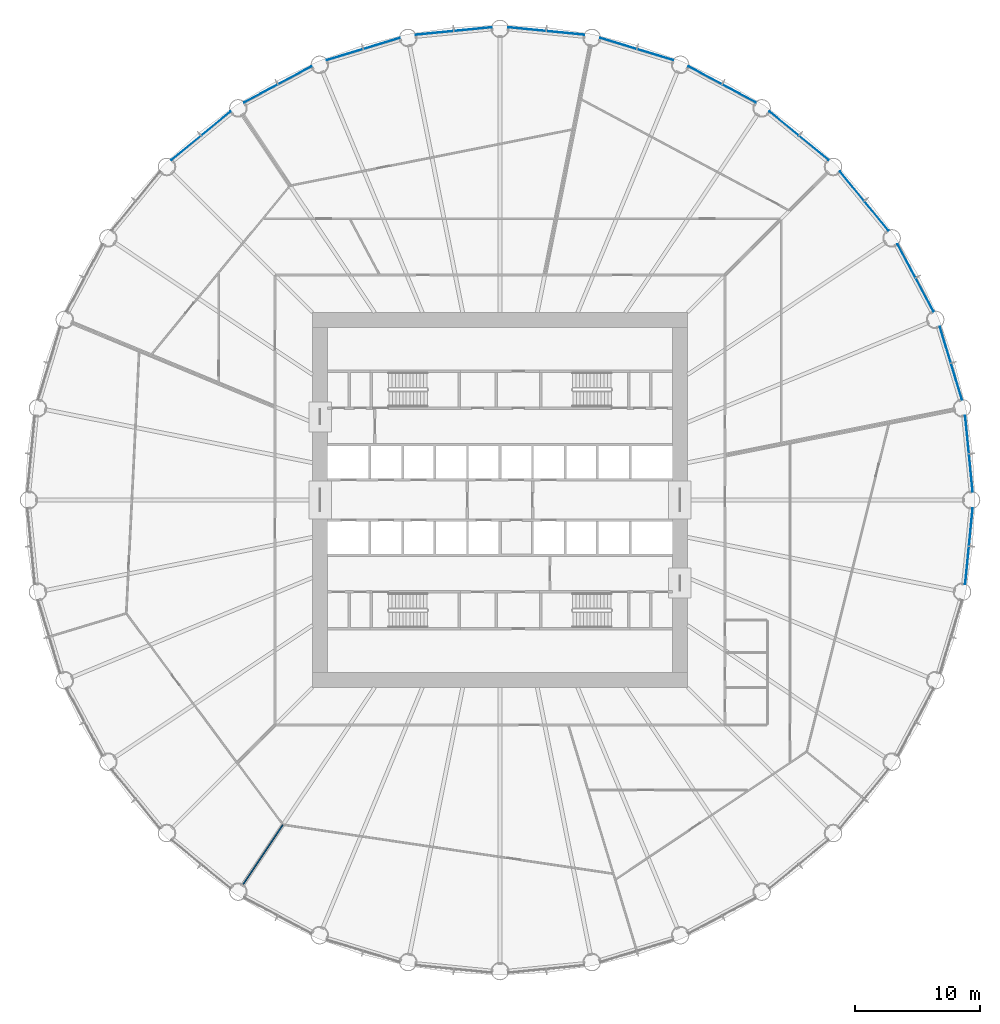
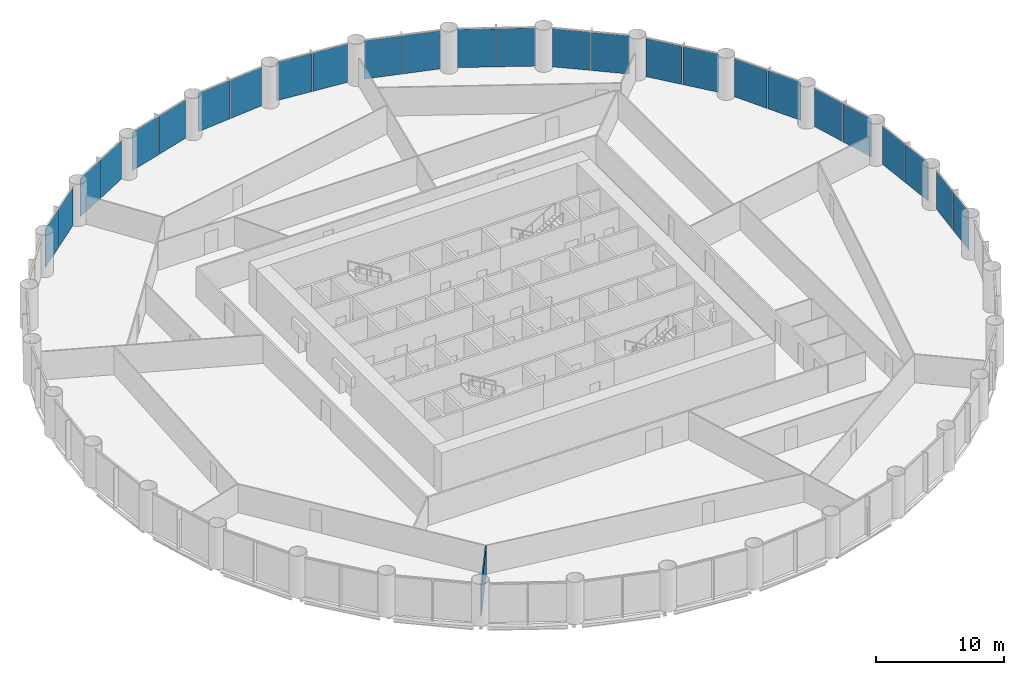
# One storey, part 9 of 15: 26 plates, 1 wall, 13 elements without a shape of their own.
"""IFC4 building model written with IfcOpenShell, lengths in metres."""

from ifc_helpers import new_model, si_unit, direction, frame, frame_2d, origin, origin_2d, place, context, subcontext, project, spatial, rectangle, extrude, material, layer, layer_set, type_object, element, aggregate, save


model = new_model("IFC4")

# Units and contexts
model_context = context("Model", 3, precision=1e-05, world=origin(), true_north=direction((0.0, 1.0)))
body_context = subcontext(model_context, "Body", "Model", "MODEL_VIEW")
ifc_project = project(units=[si_unit("LENGTHUNIT", "METRE"), si_unit("AREAUNIT", "SQUARE_METRE"), si_unit("VOLUMEUNIT", "CUBIC_METRE"), si_unit("PLANEANGLEUNIT", "RADIAN"), si_unit("MASSUNIT", "GRAM", prefix="KILO")], contexts=[model_context])

# Site, building, storey
site_placement = place(None, origin())
site = spatial("IfcSite", under=ifc_project, at=site_placement, CompositionType="ELEMENT")
building_placement = place(site_placement, origin())
building = spatial("IfcBuilding", under=site, at=building_placement, Name="Corvane Civic Tower", CompositionType="ELEMENT")
storey_placement = place(building_placement, frame((0.0, 0.0, 69.0)))
storey = spatial("IfcBuildingStorey", under=building, at=storey_placement, Name="L15", CompositionType="ELEMENT", Elevation=69.0)

# Curtain wall, plates
ifc_material_1 = material(Name="Anodised aluminium bronze", Category="aluminium")
curtain_wall_type = type_object("IfcCurtainWallType", Name="TOWER CW-T1 STICK CURTAIN WALL", PredefinedType="NOTDEFINED", material=ifc_material_1)
curtain_wall_1_placement = place(storey_placement, origin())
curtain_wall_1 = element("IfcCurtainWall", 1, at=curtain_wall_1_placement, inside=storey, type_object=curtain_wall_type, Name="Curtain wall CW-T1 L15 bay 01", PredefinedType="NOTDEFINED")
ifc_material_2 = material(Name="Tinted glass", Category="glass")
ifc_layer_1 = layer(ifc_material_2, 0.035888671875)
ifc_layer_set_1 = layer_set([ifc_layer_1], Name="Tinted glass")
plate_type = type_object("IfcPlateType", Name="TOWER CW-T1 PANEL IGU36", PredefinedType="CURTAIN_PANEL", material=ifc_layer_set_1)
plate_1_placement = place(storey_placement, frame((2.158203125, 37.667236328125, 0.0), z_axis=(0.0, 0.0, 1.0), x_axis=(0.995185800248, -0.098006239521, 0.0)))
plate_1 = element("IfcPlate", 2, at=plate_1_placement, type_object=plate_type, Name="Glass panel CW-T1 L15 01.1", PredefinedType="CURTAIN_PANEL", context=body_context, shape_type="SweptSolid", body=[
    extrude(rectangle(XDim=3.008544921875, YDim=0.035888671875, at=origin_2d()), origin(), (0.0, 0.0, 1.0), 3.6298828125),
])
plate_2_placement = place(storey_placement, frame((5.23193359375, 37.36474609375, 0.0), z_axis=(0.0, 0.0, 1.0), x_axis=(0.995185800248, -0.098006239521, 0.0)))
plate_2 = element("IfcPlate", 3, at=plate_2_placement, type_object=plate_type, Name="Glass panel CW-T1 L15 01.2", PredefinedType="CURTAIN_PANEL", context=body_context, shape_type="SweptSolid", body=[
    extrude(rectangle(XDim=3.008544921875, YDim=0.035888671875, at=origin_2d()), origin(), (0.0, 0.0, 1.0), 3.6298828125),
])
aggregate(curtain_wall_1, [plate_1, plate_2])

curtain_wall_2_placement = place(storey_placement, origin())
curtain_wall_2 = element("IfcCurtainWall", 4, at=curtain_wall_2_placement, inside=storey, type_object=curtain_wall_type, Name="Curtain wall CW-T1 L15 bay 02", PredefinedType="NOTDEFINED")
plate_3_placement = place(storey_placement, frame((9.46533203125, 36.522705078125, 0.0), z_axis=(0.0, 0.0, 1.0), x_axis=(0.956942240606, -0.290278397654, 0.0)))
plate_3 = element("IfcPlate", 5, at=plate_3_placement, type_object=plate_type, Name="Glass panel CW-T1 L15 02.1", PredefinedType="CURTAIN_PANEL", context=body_context, shape_type="SweptSolid", body=[
    extrude(rectangle(XDim=3.008544921875, YDim=0.035888671875, at=origin_2d()), origin(), (0.0, 0.0, 1.0), 3.6298828125),
])
plate_4_placement = place(storey_placement, frame((12.4208984375, 35.6259765625, 0.0), z_axis=(0.0, 0.0, 1.0), x_axis=(0.956942240606, -0.290278397654, 0.0)))
plate_4 = element("IfcPlate", 6, at=plate_4_placement, type_object=plate_type, Name="Glass panel CW-T1 L15 02.2", PredefinedType="CURTAIN_PANEL", context=body_context, shape_type="SweptSolid", body=[
    extrude(rectangle(XDim=3.008544921875, YDim=0.035888671875, at=origin_2d()), origin(), (0.0, 0.0, 1.0), 3.6298828125),
])
aggregate(curtain_wall_2, [plate_3, plate_4])

curtain_wall_3_placement = place(storey_placement, origin())
curtain_wall_3 = element("IfcCurtainWall", 7, at=curtain_wall_3_placement, inside=storey, type_object=curtain_wall_type, Name="Curtain wall CW-T1 L15 bay 03", PredefinedType="NOTDEFINED")
plate_5_placement = place(storey_placement, frame((16.40869140625, 33.974365234375, 0.0), z_axis=(0.0, 0.0, 1.0), x_axis=(0.881917528864, -0.471403725359, 0.0)))
plate_5 = element("IfcPlate", 8, at=plate_5_placement, type_object=plate_type, Name="Glass panel CW-T1 L15 03.1", PredefinedType="CURTAIN_PANEL", context=body_context, shape_type="SweptSolid", body=[
    extrude(rectangle(XDim=3.008544921875, YDim=0.035888671875, at=origin_2d()), origin(), (0.0, 0.0, 1.0), 3.6298828125),
])
plate_6_placement = place(storey_placement, frame((19.132568359375, 32.518310546875, 0.0), z_axis=(0.0, 0.0, 1.0), x_axis=(0.881917528864, -0.471403725359, 0.0)))
plate_6 = element("IfcPlate", 9, at=plate_6_placement, type_object=plate_type, Name="Glass panel CW-T1 L15 03.2", PredefinedType="CURTAIN_PANEL", context=body_context, shape_type="SweptSolid", body=[
    extrude(rectangle(XDim=3.008544921875, YDim=0.035888671875, at=origin_2d()), origin(), (0.0, 0.0, 1.0), 3.6298828125),
])
aggregate(curtain_wall_3, [plate_5, plate_6])

curtain_wall_4_placement = place(storey_placement, origin())
curtain_wall_4 = element("IfcCurtainWall", 10, at=curtain_wall_4_placement, inside=storey, type_object=curtain_wall_type, Name="Curtain wall CW-T1 L15 bay 04", PredefinedType="NOTDEFINED")
plate_7_placement = place(storey_placement, frame((22.721435546875, 30.120361328125, 0.0), z_axis=(0.0, 0.0, 1.0), x_axis=(0.773007224463, -0.634397218569, 0.0)))
plate_7 = element("IfcPlate", 11, at=plate_7_placement, type_object=plate_type, Name="Glass panel CW-T1 L15 04.1", PredefinedType="CURTAIN_PANEL", context=body_context, shape_type="SweptSolid", body=[
    extrude(rectangle(XDim=3.008544921875, YDim=0.035888671875, at=origin_2d()), origin(), (0.0, 0.0, 1.0), 3.6298828125),
])
plate_8_placement = place(storey_placement, frame((25.10888671875, 28.160888671875, 0.0), z_axis=(0.0, 0.0, 1.0), x_axis=(0.773007224463, -0.634397218569, 0.0)))
plate_8 = element("IfcPlate", 12, at=plate_8_placement, type_object=plate_type, Name="Glass panel CW-T1 L15 04.2", PredefinedType="CURTAIN_PANEL", context=body_context, shape_type="SweptSolid", body=[
    extrude(rectangle(XDim=3.008544921875, YDim=0.035888671875, at=origin_2d()), origin(), (0.0, 0.0, 1.0), 3.6298828125),
])
aggregate(curtain_wall_4, [plate_7, plate_8])

curtain_wall_5_placement = place(storey_placement, origin())
curtain_wall_5 = element("IfcCurtainWall", 13, at=curtain_wall_5_placement, inside=storey, type_object=curtain_wall_type, Name="Curtain wall CW-T1 L15 bay 05", PredefinedType="NOTDEFINED")
plate_9_placement = place(storey_placement, frame((28.160888671875, 25.10888671875, 0.0), z_axis=(0.0, 0.0, 1.0), x_axis=(0.634397218569, -0.773007224463, 0.0)))
plate_9 = element("IfcPlate", 14, at=plate_9_placement, type_object=plate_type, Name="Glass panel CW-T1 L15 05.1", PredefinedType="CURTAIN_PANEL", context=body_context, shape_type="SweptSolid", body=[
    extrude(rectangle(XDim=3.008544921875, YDim=0.035888671875, at=origin_2d()), origin(), (0.0, 0.0, 1.0), 3.6298828125),
])
plate_10_placement = place(storey_placement, frame((30.120361328125, 22.721435546875, 0.0), z_axis=(0.0, 0.0, 1.0), x_axis=(0.634397218569, -0.773007224463, 0.0)))
plate_10 = element("IfcPlate", 15, at=plate_10_placement, type_object=plate_type, Name="Glass panel CW-T1 L15 05.2", PredefinedType="CURTAIN_PANEL", context=body_context, shape_type="SweptSolid", body=[
    extrude(rectangle(XDim=3.008544921875, YDim=0.035888671875, at=origin_2d()), origin(), (0.0, 0.0, 1.0), 3.6298828125),
])
aggregate(curtain_wall_5, [plate_9, plate_10])

curtain_wall_6_placement = place(storey_placement, origin())
curtain_wall_6 = element("IfcCurtainWall", 16, at=curtain_wall_6_placement, inside=storey, type_object=curtain_wall_type, Name="Curtain wall CW-T1 L15 bay 06", PredefinedType="NOTDEFINED")
plate_11_placement = place(storey_placement, frame((32.518310546875, 19.132568359375, 0.0), z_axis=(0.0, 0.0, 1.0), x_axis=(0.471403725359, -0.881917528864, 0.0)))
plate_11 = element("IfcPlate", 17, at=plate_11_placement, type_object=plate_type, Name="Glass panel CW-T1 L15 06.1", PredefinedType="CURTAIN_PANEL", context=body_context, shape_type="SweptSolid", body=[
    extrude(rectangle(XDim=3.008544921875, YDim=0.035888671875, at=origin_2d()), origin(), (0.0, 0.0, 1.0), 3.6298828125),
])
plate_12_placement = place(storey_placement, frame((33.974365234375, 16.40869140625, 0.0), z_axis=(0.0, 0.0, 1.0), x_axis=(0.471403725359, -0.881917528864, 0.0)))
plate_12 = element("IfcPlate", 18, at=plate_12_placement, type_object=plate_type, Name="Glass panel CW-T1 L15 06.2", PredefinedType="CURTAIN_PANEL", context=body_context, shape_type="SweptSolid", body=[
    extrude(rectangle(XDim=3.008544921875, YDim=0.035888671875, at=origin_2d()), origin(), (0.0, 0.0, 1.0), 3.6298828125),
])
aggregate(curtain_wall_6, [plate_11, plate_12])

curtain_wall_7_placement = place(storey_placement, origin())
curtain_wall_7 = element("IfcCurtainWall", 19, at=curtain_wall_7_placement, inside=storey, type_object=curtain_wall_type, Name="Curtain wall CW-T1 L15 bay 07", PredefinedType="NOTDEFINED")
plate_13_placement = place(storey_placement, frame((35.6259765625, 12.4208984375, 0.0), z_axis=(0.0, 0.0, 1.0), x_axis=(0.290278397654, -0.956942240606, 0.0)))
plate_13 = element("IfcPlate", 20, at=plate_13_placement, type_object=plate_type, Name="Glass panel CW-T1 L15 07.1", PredefinedType="CURTAIN_PANEL", context=body_context, shape_type="SweptSolid", body=[
    extrude(rectangle(XDim=3.008544921875, YDim=0.035888671875, at=origin_2d()), origin(), (0.0, 0.0, 1.0), 3.6298828125),
])
plate_14_placement = place(storey_placement, frame((36.522705078125, 9.46533203125, 0.0), z_axis=(0.0, 0.0, 1.0), x_axis=(0.290278397654, -0.956942240606, 0.0)))
plate_14 = element("IfcPlate", 21, at=plate_14_placement, type_object=plate_type, Name="Glass panel CW-T1 L15 07.2", PredefinedType="CURTAIN_PANEL", context=body_context, shape_type="SweptSolid", body=[
    extrude(rectangle(XDim=3.008544921875, YDim=0.035888671875, at=origin_2d()), origin(), (0.0, 0.0, 1.0), 3.6298828125),
])
aggregate(curtain_wall_7, [plate_13, plate_14])

curtain_wall_8_placement = place(storey_placement, origin())
curtain_wall_8 = element("IfcCurtainWall", 22, at=curtain_wall_8_placement, inside=storey, type_object=curtain_wall_type, Name="Curtain wall CW-T1 L15 bay 08", PredefinedType="NOTDEFINED")
plate_15_placement = place(storey_placement, frame((37.36474609375, 5.23193359375, 0.0), z_axis=(0.0, 0.0, 1.0), x_axis=(0.098006239521, -0.995185800248, 0.0)))
plate_15 = element("IfcPlate", 23, at=plate_15_placement, type_object=plate_type, Name="Glass panel CW-T1 L15 08.1", PredefinedType="CURTAIN_PANEL", context=body_context, shape_type="SweptSolid", body=[
    extrude(rectangle(XDim=3.008544921875, YDim=0.035888671875, at=origin_2d()), origin(), (0.0, 0.0, 1.0), 3.6298828125),
])
plate_16_placement = place(storey_placement, frame((37.667236328125, 2.158203125, 0.0), z_axis=(0.0, 0.0, 1.0), x_axis=(0.098006239521, -0.995185800248, 0.0)))
plate_16 = element("IfcPlate", 24, at=plate_16_placement, type_object=plate_type, Name="Glass panel CW-T1 L15 08.2", PredefinedType="CURTAIN_PANEL", context=body_context, shape_type="SweptSolid", body=[
    extrude(rectangle(XDim=3.008544921875, YDim=0.035888671875, at=origin_2d()), origin(), (0.0, 0.0, 1.0), 3.6298828125),
])
aggregate(curtain_wall_8, [plate_15, plate_16])

curtain_wall_9_placement = place(storey_placement, origin())
curtain_wall_9 = element("IfcCurtainWall", 25, at=curtain_wall_9_placement, inside=storey, type_object=curtain_wall_type, Name="Curtain wall CW-T1 L15 bay 09", PredefinedType="NOTDEFINED")
plate_17_placement = place(storey_placement, frame((37.667236328125, -2.158203125, 0.0), z_axis=(0.0, 0.0, 1.0), x_axis=(-0.098006239521, -0.995185800248, 0.0)))
plate_17 = element("IfcPlate", 26, at=plate_17_placement, type_object=plate_type, Name="Glass panel CW-T1 L15 09.1", PredefinedType="CURTAIN_PANEL", context=body_context, shape_type="SweptSolid", body=[
    extrude(rectangle(XDim=3.008544921875, YDim=0.035888671875, at=origin_2d()), origin(), (0.0, 0.0, 1.0), 3.6298828125),
])
plate_18_placement = place(storey_placement, frame((37.36474609375, -5.23193359375, 0.0), z_axis=(0.0, 0.0, 1.0), x_axis=(-0.098006239521, -0.995185800248, 0.0)))
plate_18 = element("IfcPlate", 27, at=plate_18_placement, type_object=plate_type, Name="Glass panel CW-T1 L15 09.2", PredefinedType="CURTAIN_PANEL", context=body_context, shape_type="SweptSolid", body=[
    extrude(rectangle(XDim=3.008544921875, YDim=0.035888671875, at=origin_2d()), origin(), (0.0, 0.0, 1.0), 3.6298828125),
])
aggregate(curtain_wall_9, [plate_17, plate_18])

curtain_wall_10_placement = place(storey_placement, origin())
curtain_wall_10 = element("IfcCurtainWall", 28, at=curtain_wall_10_placement, inside=storey, type_object=curtain_wall_type, Name="Curtain wall CW-T1 L15 bay 29", PredefinedType="NOTDEFINED")
plate_19_placement = place(storey_placement, frame((-25.10888671875, 28.160888671875, 0.0), z_axis=(0.0, 0.0, 1.0), x_axis=(0.773007224463, 0.634397218569, 0.0)))
plate_19 = element("IfcPlate", 29, at=plate_19_placement, type_object=plate_type, Name="Glass panel CW-T1 L15 29.1", PredefinedType="CURTAIN_PANEL", context=body_context, shape_type="SweptSolid", body=[
    extrude(rectangle(XDim=3.008544921875, YDim=0.035888671875, at=origin_2d()), origin(), (0.0, 0.0, 1.0), 3.6298828125),
])
plate_20_placement = place(storey_placement, frame((-22.721435546875, 30.120361328125, 0.0), z_axis=(0.0, 0.0, 1.0), x_axis=(0.773007224463, 0.634397218569, 0.0)))
plate_20 = element("IfcPlate", 30, at=plate_20_placement, type_object=plate_type, Name="Glass panel CW-T1 L15 29.2", PredefinedType="CURTAIN_PANEL", context=body_context, shape_type="SweptSolid", body=[
    extrude(rectangle(XDim=3.008544921875, YDim=0.035888671875, at=origin_2d()), origin(), (0.0, 0.0, 1.0), 3.6298828125),
])
aggregate(curtain_wall_10, [plate_19, plate_20])

curtain_wall_11_placement = place(storey_placement, origin())
curtain_wall_11 = element("IfcCurtainWall", 31, at=curtain_wall_11_placement, inside=storey, type_object=curtain_wall_type, Name="Curtain wall CW-T1 L15 bay 30", PredefinedType="NOTDEFINED")
plate_21_placement = place(storey_placement, frame((-19.132568359375, 32.518310546875, 0.0), z_axis=(0.0, 0.0, 1.0), x_axis=(0.881917528864, 0.471403725359, 0.0)))
plate_21 = element("IfcPlate", 32, at=plate_21_placement, type_object=plate_type, Name="Glass panel CW-T1 L15 30.1", PredefinedType="CURTAIN_PANEL", context=body_context, shape_type="SweptSolid", body=[
    extrude(rectangle(XDim=3.008544921875, YDim=0.035888671875, at=origin_2d()), origin(), (0.0, 0.0, 1.0), 3.6298828125),
])
plate_22_placement = place(storey_placement, frame((-16.40869140625, 33.974365234375, 0.0), z_axis=(0.0, 0.0, 1.0), x_axis=(0.881917528864, 0.471403725359, 0.0)))
plate_22 = element("IfcPlate", 33, at=plate_22_placement, type_object=plate_type, Name="Glass panel CW-T1 L15 30.2", PredefinedType="CURTAIN_PANEL", context=body_context, shape_type="SweptSolid", body=[
    extrude(rectangle(XDim=3.008544921875, YDim=0.035888671875, at=origin_2d()), origin(), (0.0, 0.0, 1.0), 3.6298828125),
])
aggregate(curtain_wall_11, [plate_21, plate_22])

curtain_wall_12_placement = place(storey_placement, origin())
curtain_wall_12 = element("IfcCurtainWall", 34, at=curtain_wall_12_placement, inside=storey, type_object=curtain_wall_type, Name="Curtain wall CW-T1 L15 bay 31", PredefinedType="NOTDEFINED")
plate_23_placement = place(storey_placement, frame((-12.4208984375, 35.6259765625, 0.0), z_axis=(0.0, 0.0, 1.0), x_axis=(0.956942240606, 0.290278397654, 0.0)))
plate_23 = element("IfcPlate", 35, at=plate_23_placement, type_object=plate_type, Name="Glass panel CW-T1 L15 31.1", PredefinedType="CURTAIN_PANEL", context=body_context, shape_type="SweptSolid", body=[
    extrude(rectangle(XDim=3.008544921875, YDim=0.035888671875, at=origin_2d()), origin(), (0.0, 0.0, 1.0), 3.6298828125),
])
plate_24_placement = place(storey_placement, frame((-9.46533203125, 36.522705078125, 0.0), z_axis=(0.0, 0.0, 1.0), x_axis=(0.956942240606, 0.290278397654, 0.0)))
plate_24 = element("IfcPlate", 36, at=plate_24_placement, type_object=plate_type, Name="Glass panel CW-T1 L15 31.2", PredefinedType="CURTAIN_PANEL", context=body_context, shape_type="SweptSolid", body=[
    extrude(rectangle(XDim=3.008544921875, YDim=0.035888671875, at=origin_2d()), origin(), (0.0, 0.0, 1.0), 3.6298828125),
])
aggregate(curtain_wall_12, [plate_23, plate_24])

curtain_wall_13_placement = place(storey_placement, origin())
curtain_wall_13 = element("IfcCurtainWall", 37, at=curtain_wall_13_placement, inside=storey, type_object=curtain_wall_type, Name="Curtain wall CW-T1 L15 bay 32", PredefinedType="NOTDEFINED")
plate_25_placement = place(storey_placement, frame((-5.23193359375, 37.36474609375, 0.0), z_axis=(0.0, 0.0, 1.0), x_axis=(0.995185800248, 0.098006239521, 0.0)))
plate_25 = element("IfcPlate", 38, at=plate_25_placement, type_object=plate_type, Name="Glass panel CW-T1 L15 32.1", PredefinedType="CURTAIN_PANEL", context=body_context, shape_type="SweptSolid", body=[
    extrude(rectangle(XDim=3.008544921875, YDim=0.035888671875, at=origin_2d()), origin(), (0.0, 0.0, 1.0), 3.6298828125),
])
plate_26_placement = place(storey_placement, frame((-2.158203125, 37.667236328125, 0.0), z_axis=(0.0, 0.0, 1.0), x_axis=(0.995185800248, 0.098006239521, 0.0)))
plate_26 = element("IfcPlate", 39, at=plate_26_placement, type_object=plate_type, Name="Glass panel CW-T1 L15 32.2", PredefinedType="CURTAIN_PANEL", context=body_context, shape_type="SweptSolid", body=[
    extrude(rectangle(XDim=3.008544921875, YDim=0.035888671875, at=origin_2d()), origin(), (0.0, 0.0, 1.0), 3.6298828125),
])
aggregate(curtain_wall_13, [plate_25, plate_26])

# Wall
ifc_material_3 = material(Name="Plasterboard")
ifc_layer_2 = layer(ifc_material_3, 0.10009765625)
ifc_layer_set_2 = layer_set([ifc_layer_2], Name="Plasterboard")
wall_type = type_object("IfcWallType", Name="Partition 100 plasterboard on studs", PredefinedType="PARTITIONING", material=ifc_layer_set_2)
wall_placement = place(storey_placement, frame((-20.550537109375, -30.756103515625, 0.0), z_axis=(0.0, 0.0, 1.0), x_axis=(0.555567763651, 0.831471262277, 0.0)))
element("IfcWall", 40, at=wall_placement, inside=storey, type_object=wall_type, Name="Partition L15.002", PredefinedType="PARTITIONING", context=body_context, shape_type="SweptSolid", body=[
    extrude(rectangle(XDim=5.712646484375, YDim=0.10009765625, at=frame_2d((2.8564453125, 0.0))), origin(), (0.0, 0.0, 1.0), 2.699951171875),
])

save(model, "model.ifc")
